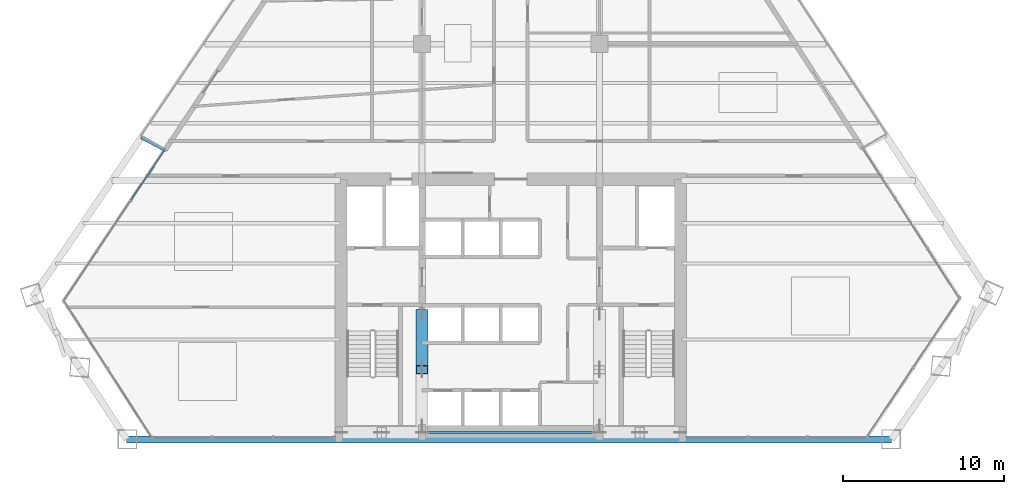
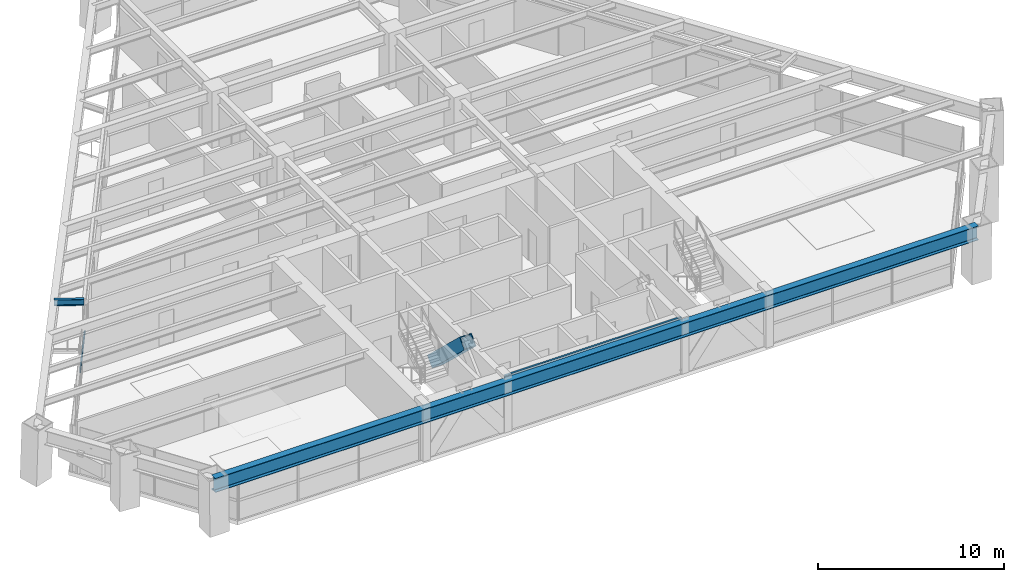
# One storey, part 3 of 14: 3 beams, 2 members, 1 element without a shape of its own.
"""IFC4 building model written with IfcOpenShell, lengths in metres."""

from ifc_helpers import new_model, si_unit, direction, frame, origin, origin_2d, place, context, subcontext, project, spatial, rectangle, hollow_rectangle, i_section, extrude, source, transform, mapped, material, material_profile, profile_set, type_object, type_shapes, element, aggregate, save


model = new_model("IFC4")

# Units and contexts
model_context = context("Model", 3, precision=1e-05, world=origin(), true_north=direction((0.0, 1.0)))
body_context = subcontext(model_context, "Body", "Model", "MODEL_VIEW")
ifc_project = project(units=[si_unit("LENGTHUNIT", "METRE"), si_unit("AREAUNIT", "SQUARE_METRE"), si_unit("VOLUMEUNIT", "CUBIC_METRE"), si_unit("PLANEANGLEUNIT", "RADIAN"), si_unit("MASSUNIT", "GRAM", prefix="KILO")], contexts=[model_context])

# Site, building, storey
site_placement = place(None, origin())
site = spatial("IfcSite", under=ifc_project, at=site_placement, CompositionType="ELEMENT")
building_placement = place(site_placement, origin())
building = spatial("IfcBuilding", under=site, at=building_placement, Name="Varnakhor Terracotta Tower", CompositionType="ELEMENT")
storey_placement = place(building_placement, frame((0.0, 0.0, 106.199951171875)))
storey = spatial("IfcBuildingStorey", under=building, at=storey_placement, Name="L26", CompositionType="ELEMENT", Elevation=106.199951171875)

# Beam
ifc_material_1 = material(Name="Steel S355", Category="steel")
ifc_material_profile_1 = material_profile(ifc_material_1, i_section(OverallWidth=0.1201171875, OverallDepth=0.239990234375, WebThickness=0.006103515625, FlangeThickness=0.009765625, FilletRadius=0.01806640625, at=origin_2d()), Name="IPE240")
ifc_profile_set_1 = profile_set([ifc_material_profile_1], Name="Steel S355")
beam_type_1 = type_object("IfcBeamType", Name="LNT-IPE240", PredefinedType="LINTEL", material=ifc_profile_set_1)
shared_shape_1 = source(origin(), body_context, "Body", "SweptSolid", [
    extrude(i_section(OverallWidth=0.1201171875, OverallDepth=0.239990234375, WebThickness=0.006103515625, FlangeThickness=0.009765625, FilletRadius=0.01806640625, at=origin_2d()), origin(), (0.0, 0.0, 1.0), 11.0),
])
type_shapes(beam_type_1, [shared_shape_1])
beam_1_placement = place(storey_placement, frame((-5.5, 0.419921875, 3.330078125), z_axis=(1.0, 0.0, 0.0), x_axis=(0.0, 1.0, 0.0)))
element("IfcBeam", 1, at=beam_1_placement, inside=storey, type_object=beam_type_1, Name="L26 Core South Coupling Lintel", PredefinedType="LINTEL", context=body_context, shape_type="MappedRepresentation", body=[
    mapped(shared_shape_1, transform((0.0, 0.0, 0.0), scale=1.0)),
])

# Member
ifc_material_2 = material(Name="Steel S460", Category="steel")
ifc_material_profile_2 = material_profile(ifc_material_2, hollow_rectangle(XDim=0.75, YDim=0.75, WallThickness=0.044921875, at=origin_2d()), Name="HSS750X750X45")
ifc_profile_set_2 = profile_set([ifc_material_profile_2], Name="Steel S460")
member_type_1 = type_object("IfcMemberType", Name="MBR-MEGA-750", PredefinedType="BRACE", material=ifc_profile_set_2)
shared_shape_2 = source(origin(), body_context, "Body", "SweptSolid", [
    extrude(hollow_rectangle(XDim=0.75, YDim=0.75, WallThickness=0.044921875, at=origin_2d()), origin(), (0.0, 0.0, 1.0), 4.792236328125),
])
member_1_placement = place(storey_placement, frame((-5.5, 7.800048828125, 0.0), z_axis=(0.0, -0.72513424341, 0.688607529028), x_axis=(1.0, 0.0, 0.0)))
element("IfcMember", 2, at=member_1_placement, inside=storey, type_object=member_type_1, Name="L26 Core Coupled Brace CWWB", PredefinedType="BRACE", context=body_context, shape_type="MappedRepresentation", body=[
    mapped(shared_shape_2, transform((0.0, 0.0, 0.0), scale=1.0)),
])

# Beam
ifc_material_profile_3 = material_profile(ifc_material_1, i_section(OverallWidth=0.41796875, OverallDepth=0.927001953125, WebThickness=0.01904296875, FlangeThickness=0.031982421875, FilletRadius=0.01806640625, at=origin_2d()), Name="W36X231")
ifc_profile_set_3 = profile_set([ifc_material_profile_3], Name="Steel S355")
beam_type_2 = type_object("IfcBeamType", Name="BM-W36X231", PredefinedType="BEAM", material=ifc_profile_set_3)
shared_shape_3 = source(origin(), body_context, "Body", "SweptSolid", [
    extrude(i_section(OverallWidth=0.41796875, OverallDepth=0.927001953125, WebThickness=0.01904296875, FlangeThickness=0.031982421875, FilletRadius=0.01806640625, at=origin_2d()), origin(), (0.0, 0.0, 1.0), 47.420654296875),
])
beam_2_placement = place(storey_placement, frame((-23.811279296875, 0.0, 2.986572265625), z_axis=(1.0, 0.0, 0.0), x_axis=(0.0, 1.0, 0.0)))
element("IfcBeam", 3, at=beam_2_placement, inside=storey, type_object=beam_type_2, Name="L26 Perimeter Spandrel 1", PredefinedType="BEAM", context=body_context, shape_type="MappedRepresentation", body=[
    mapped(shared_shape_3, transform((0.0, 0.0, 0.0), scale=1.0)),
])

# Curtain wall, member
ifc_material_3 = material(Name="Anodised Aluminium Curtain Wall System", Category="aluminium")
curtain_wall_type = type_object("IfcCurtainWallType", Name="CW-SYS-LOW-OFFICE", PredefinedType="NOTDEFINED", material=ifc_material_3)
curtain_wall_placement = place(storey_placement, origin())
curtain_wall = element("IfcCurtainWall", 4, at=curtain_wall_placement, inside=storey, type_object=curtain_wall_type, Name="L26 W Facet Curtain Wall 1", PredefinedType="NOTDEFINED")
ifc_material_4 = material(Name="Anodised Aluminium 6063-T6", Category="aluminium")
ifc_material_profile_4 = material_profile(ifc_material_4, rectangle(XDim=0.074951171875, YDim=0.1650390625, at=origin_2d()), Name="ALU TRANSOM 75x165")
ifc_profile_set_4 = profile_set([ifc_material_profile_4], Name="Anodised Aluminium 6063-T6")
member_type_2 = type_object("IfcMemberType", Name="CWT-02", PredefinedType="USERDEFINED", material=ifc_profile_set_4)
shared_shape_4 = source(origin(), body_context, "Body", "SweptSolid", [
    extrude(rectangle(XDim=0.074951171875, YDim=0.1650390625, at=origin_2d()), origin(), (0.0, 0.0, 1.0), 3.761962890625),
])
member_2_placement = place(storey_placement, frame((-23.5419921875, 14.81689453125, 1.272705078125), z_axis=(0.555703182603, 0.831380762855, 0.0), x_axis=(-0.831380762855, 0.555703182603, 0.0)))
member_2 = element("IfcMember", 5, at=member_2_placement, type_object=member_type_2, Name="L26 W Facet Curtain Wall 1 Transom 3", ObjectType="TRANSOM", PredefinedType="USERDEFINED", context=body_context, shape_type="MappedRepresentation", body=[
    mapped(shared_shape_4, transform((0.0, 0.0, 0.0), scale=1.0)),
])
aggregate(curtain_wall, [member_2])

# Beam
ifc_material_profile_5 = material_profile(ifc_material_1, i_section(OverallWidth=0.179931640625, OverallDepth=0.39990234375, WebThickness=0.008544921875, FlangeThickness=0.013427734375, FilletRadius=0.01806640625, at=origin_2d()), Name="IPE400")
ifc_profile_set_5 = profile_set([ifc_material_profile_5], Name="Steel S355")
beam_type_3 = type_object("IfcBeamType", Name="JST-IPE400", PredefinedType="JOIST", material=ifc_profile_set_5)
shared_shape_5 = source(origin(), body_context, "Body", "SweptSolid", [
    extrude(i_section(OverallWidth=0.179931640625, OverallDepth=0.39990234375, WebThickness=0.008544921875, FlangeThickness=0.013427734375, FilletRadius=0.01806640625, at=origin_2d()), origin(), (0.0, 0.0, 1.0), 1.61474609375),
])
beam_3_placement = place(storey_placement, frame((-21.47900390625, 17.956298828125, 3.25), z_axis=(-0.883751135774, 0.467957188233, 0.0), x_axis=(-0.467957188233, -0.883751135774, 0.0)))
element("IfcBeam", 6, at=beam_3_placement, inside=storey, type_object=beam_type_3, Name="L27 W Loggia Tie Beam 1", PredefinedType="JOIST", context=body_context, shape_type="MappedRepresentation", body=[
    mapped(shared_shape_5, transform((0.0, 0.0, 0.0), scale=1.0)),
])

save(model, "model.ifc")
